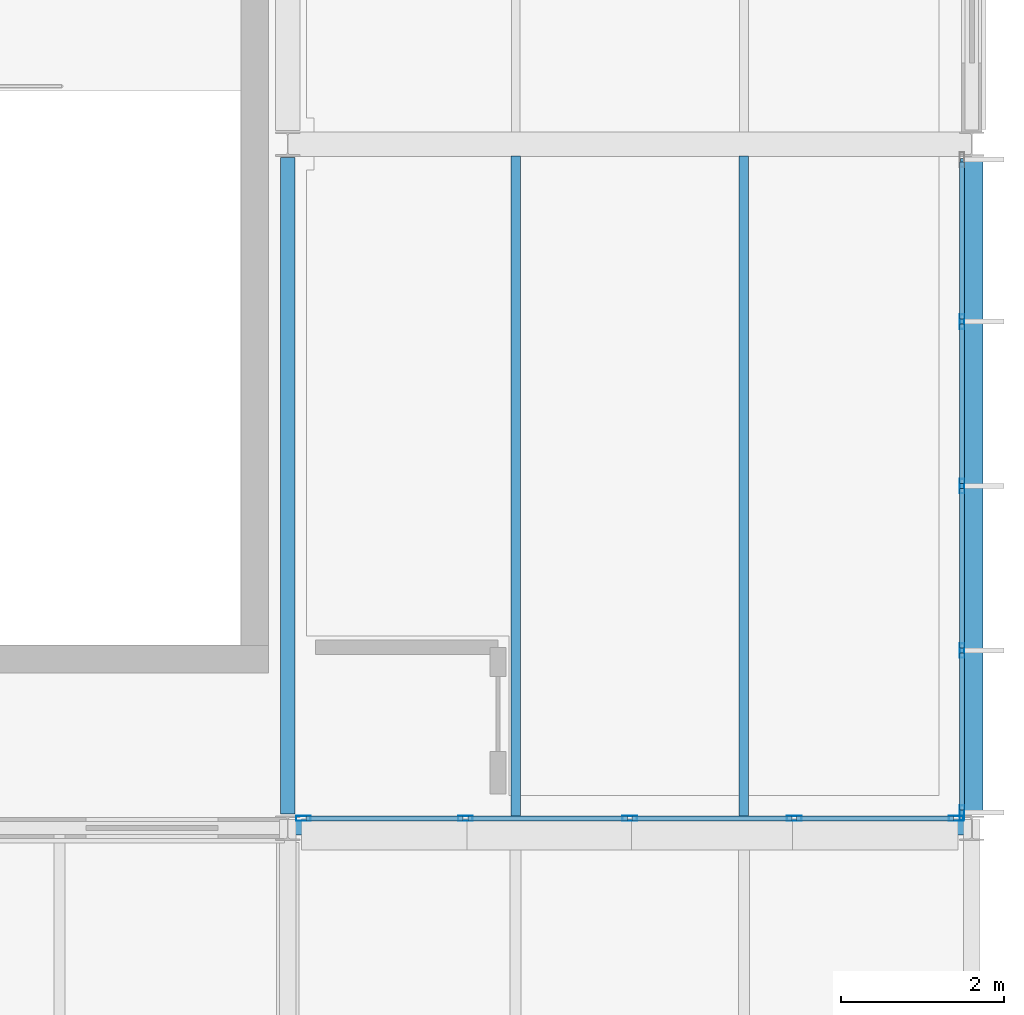
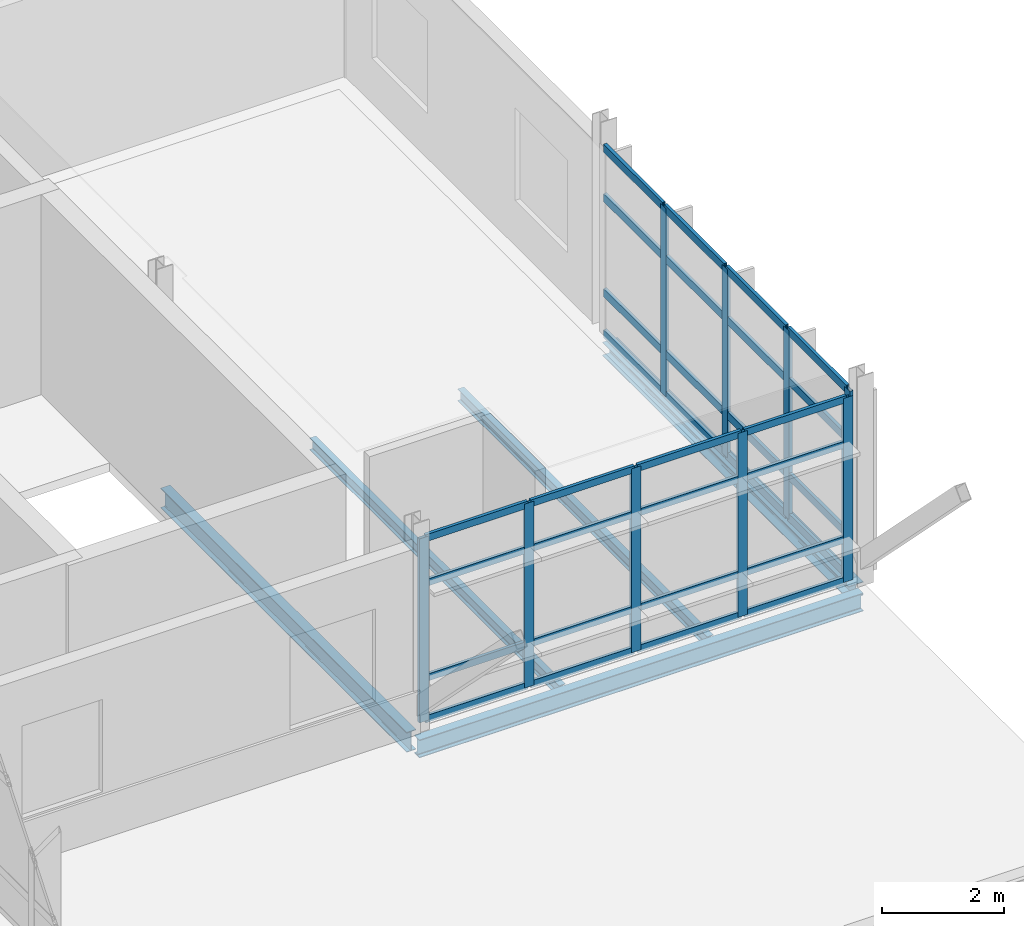
# One storey, part 24 of 35: 41 members, 5 beams, 2 elements without a shape of their own.
"""IFC4 building model written with IfcOpenShell, lengths in metres."""

from ifc_helpers import new_model, si_unit, direction, frame, origin, origin_2d, place, context, subcontext, project, spatial, hollow_rectangle, i_section, extrude, material, material_profile, profile_set, type_object, element, aggregate, save


model = new_model("IFC4")

# Units and contexts
model_context = context("Model", 3, precision=1e-05, world=origin(), true_north=direction((0.0, 1.0)))
body_context = subcontext(model_context, "Body", "Model", "MODEL_VIEW")
ifc_project = project(units=[si_unit("LENGTHUNIT", "METRE"), si_unit("AREAUNIT", "SQUARE_METRE"), si_unit("VOLUMEUNIT", "CUBIC_METRE"), si_unit("PLANEANGLEUNIT", "RADIAN"), si_unit("MASSUNIT", "GRAM", prefix="KILO")], contexts=[model_context])

# Site, building, storey
site_placement = place(None, origin())
site = spatial("IfcSite", under=ifc_project, at=site_placement, CompositionType="ELEMENT")
building_placement = place(site_placement, origin())
building = spatial("IfcBuilding", under=site, at=building_placement, Name="Mersafa Astral City Hall", CompositionType="ELEMENT")
storey_placement = place(building_placement, frame((0.0, 0.0, 30.14990234375)))
storey = spatial("IfcBuildingStorey", under=building, at=storey_placement, Name="L07", CompositionType="ELEMENT", Elevation=30.14990234375)

# Curtain wall, members
ifc_material_1 = material(Name="Anodised bronze aluminium framing", Category="aluminium")
curtain_wall_type_1 = type_object("IfcCurtainWallType", Name="ENV-CW-2", PredefinedType="USERDEFINED", material=ifc_material_1)
curtain_wall_1_placement = place(storey_placement, origin())
curtain_wall_1 = element("IfcCurtainWall", 1, at=curtain_wall_1_placement, inside=storey, type_object=curtain_wall_type_1, Name="L07 Unitised solar curtain wall 271", ObjectType="UNITISED CURTAIN WALL", PredefinedType="USERDEFINED")
ifc_material_profile_1 = material_profile(ifc_material_1, hollow_rectangle(XDim=0.06005859375, YDim=0.179931640625, WallThickness=0.00390625, at=origin_2d()), Name="RHS 60x180x4")
ifc_profile_set_1 = profile_set([ifc_material_profile_1], Name="Anodised bronze aluminium framing")
member_type_1 = type_object("IfcMemberType", Name="ENV-CW-MUL-1", PredefinedType="MULLION", material=ifc_profile_set_1)
member_1_placement = place(storey_placement, frame((176.592041015625, 109.320068359375, -0.001953125), z_axis=(0.0, 0.0, 1.0), x_axis=(0.0, 1.0, 0.0)))
member_1 = element("IfcMember", 2, at=member_1_placement, type_object=member_type_1, Name="CW-2 mullion 1", PredefinedType="MULLION", context=body_context, shape_type="SweptSolid", body=[
    extrude(hollow_rectangle(XDim=0.06005859375, YDim=0.179931640625, WallThickness=0.00390625, at=origin_2d()), origin(), (0.0, 0.0, 1.0), 3.678955078125),
])
member_2_placement = place(storey_placement, frame((178.5810546875, 109.320068359375, -0.001953125), z_axis=(0.0, 0.0, 1.0), x_axis=(0.0, 1.0, 0.0)))
member_2 = element("IfcMember", 3, at=member_2_placement, type_object=member_type_1, Name="CW-2 mullion 2", PredefinedType="MULLION", context=body_context, shape_type="SweptSolid", body=[
    extrude(hollow_rectangle(XDim=0.06005859375, YDim=0.179931640625, WallThickness=0.00390625, at=origin_2d()), origin(), (0.0, 0.0, 1.0), 3.678955078125),
])
member_3_placement = place(storey_placement, frame((180.60009765625, 109.320068359375, -0.001953125), z_axis=(0.0, 0.0, 1.0), x_axis=(0.0, 1.0, 0.0)))
member_3 = element("IfcMember", 4, at=member_3_placement, type_object=member_type_1, Name="CW-2 mullion 3", PredefinedType="MULLION", context=body_context, shape_type="SweptSolid", body=[
    extrude(hollow_rectangle(XDim=0.06005859375, YDim=0.179931640625, WallThickness=0.00390625, at=origin_2d()), origin(), (0.0, 0.0, 1.0), 3.678955078125),
])
member_4_placement = place(storey_placement, frame((182.618896484375, 109.320068359375, -0.001953125), z_axis=(0.0, 0.0, 1.0), x_axis=(0.0, 1.0, 0.0)))
member_4 = element("IfcMember", 5, at=member_4_placement, type_object=member_type_1, Name="CW-2 mullion 4", PredefinedType="MULLION", context=body_context, shape_type="SweptSolid", body=[
    extrude(hollow_rectangle(XDim=0.06005859375, YDim=0.179931640625, WallThickness=0.00390625, at=origin_2d()), origin(), (0.0, 0.0, 1.0), 3.678955078125),
])
member_5_placement = place(storey_placement, frame((184.60791015625, 109.320068359375, -0.001953125), z_axis=(0.0, 0.0, 1.0), x_axis=(0.0, 1.0, 0.0)))
member_5 = element("IfcMember", 6, at=member_5_placement, type_object=member_type_1, Name="CW-2 mullion 5", PredefinedType="MULLION", context=body_context, shape_type="SweptSolid", body=[
    extrude(hollow_rectangle(XDim=0.06005859375, YDim=0.179931640625, WallThickness=0.00390625, at=origin_2d()), origin(), (0.0, 0.0, 1.0), 3.678955078125),
])

curtain_wall_type_2 = type_object("IfcCurtainWallType", Name="ENV-CW-3", PredefinedType="USERDEFINED", material=ifc_material_1)
curtain_wall_2_placement = place(storey_placement, origin())
curtain_wall_2 = element("IfcCurtainWall", 7, at=curtain_wall_2_placement, inside=storey, type_object=curtain_wall_type_2, Name="L07 Unitised solar curtain wall 272", ObjectType="UNITISED CURTAIN WALL", PredefinedType="USERDEFINED")
member_6_placement = place(storey_placement, frame((184.679931640625, 109.39208984375, -0.001953125), z_axis=(0.0, 0.0, 1.0), x_axis=(-1.0, 0.0, 0.0)))
member_6 = element("IfcMember", 8, at=member_6_placement, type_object=member_type_1, Name="CW-3 mullion 1", PredefinedType="MULLION", context=body_context, shape_type="SweptSolid", body=[
    extrude(hollow_rectangle(XDim=0.06005859375, YDim=0.179931640625, WallThickness=0.00390625, at=origin_2d()), origin(), (0.0, 0.0, 1.0), 3.76904296875),
])
member_7_placement = place(storey_placement, frame((184.679931640625, 111.381103515625, -0.001953125), z_axis=(0.0, 0.0, 1.0), x_axis=(-1.0, 0.0, 0.0)))
member_7 = element("IfcMember", 9, at=member_7_placement, type_object=member_type_1, Name="CW-3 mullion 2", PredefinedType="MULLION", context=body_context, shape_type="SweptSolid", body=[
    extrude(hollow_rectangle(XDim=0.06005859375, YDim=0.179931640625, WallThickness=0.00390625, at=origin_2d()), origin(), (0.0, 0.0, 1.0), 3.76904296875),
])
member_8_placement = place(storey_placement, frame((184.679931640625, 113.39990234375, -0.001953125), z_axis=(0.0, 0.0, 1.0), x_axis=(-1.0, 0.0, 0.0)))
member_8 = element("IfcMember", 10, at=member_8_placement, type_object=member_type_1, Name="CW-3 mullion 3", PredefinedType="MULLION", context=body_context, shape_type="SweptSolid", body=[
    extrude(hollow_rectangle(XDim=0.06005859375, YDim=0.179931640625, WallThickness=0.00390625, at=origin_2d()), origin(), (0.0, 0.0, 1.0), 3.76904296875),
])
member_9_placement = place(storey_placement, frame((184.679931640625, 115.4189453125, -0.001953125), z_axis=(0.0, 0.0, 1.0), x_axis=(-1.0, 0.0, 0.0)))
member_9 = element("IfcMember", 11, at=member_9_placement, type_object=member_type_1, Name="CW-3 mullion 4", PredefinedType="MULLION", context=body_context, shape_type="SweptSolid", body=[
    extrude(hollow_rectangle(XDim=0.06005859375, YDim=0.179931640625, WallThickness=0.00390625, at=origin_2d()), origin(), (0.0, 0.0, 1.0), 3.76904296875),
])

# Member
ifc_material_profile_2 = material_profile(ifc_material_1, hollow_rectangle(XDim=0.06005859375, YDim=0.139892578125, WallThickness=0.00390625, at=origin_2d()), Name="RHS 60x140x4")
ifc_profile_set_2 = profile_set([ifc_material_profile_2], Name="Anodised bronze aluminium framing")
member_type_2 = type_object("IfcMemberType", Name="ENV-CW-TRN-1", PredefinedType="USERDEFINED", material=ifc_profile_set_2)
member_10_placement = place(storey_placement, frame((176.6220703125, 109.320068359375, 0.028076171875), z_axis=(1.0, 0.0, 0.0), x_axis=(0.0, 1.0, 0.0)))
member_10 = element("IfcMember", 12, at=member_10_placement, type_object=member_type_2, Name="CW-2 transom 1.1", ObjectType="TRANSOM", PredefinedType="USERDEFINED", context=body_context, shape_type="SweptSolid", body=[
    extrude(hollow_rectangle(XDim=0.06005859375, YDim=0.139892578125, WallThickness=0.00390625, at=origin_2d()), origin(), (0.0, 0.0, 1.0), 1.928955078125),
])

member_11_placement = place(storey_placement, frame((176.6220703125, 109.320068359375, 0.85009765625), z_axis=(1.0, 0.0, 0.0), x_axis=(0.0, 1.0, 0.0)))
member_11 = element("IfcMember", 13, at=member_11_placement, type_object=member_type_2, Name="CW-2 transom 1.2", ObjectType="TRANSOM", PredefinedType="USERDEFINED", context=body_context, shape_type="SweptSolid", body=[
    extrude(hollow_rectangle(XDim=0.06005859375, YDim=0.139892578125, WallThickness=0.00390625, at=origin_2d()), origin(), (0.0, 0.0, 1.0), 1.928955078125),
])

member_12_placement = place(storey_placement, frame((176.6220703125, 109.320068359375, 2.75), z_axis=(1.0, 0.0, 0.0), x_axis=(0.0, 1.0, 0.0)))
member_12 = element("IfcMember", 14, at=member_12_placement, type_object=member_type_2, Name="CW-2 transom 1.3", ObjectType="TRANSOM", PredefinedType="USERDEFINED", context=body_context, shape_type="SweptSolid", body=[
    extrude(hollow_rectangle(XDim=0.06005859375, YDim=0.139892578125, WallThickness=0.00390625, at=origin_2d()), origin(), (0.0, 0.0, 1.0), 1.928955078125),
])

member_13_placement = place(storey_placement, frame((176.6220703125, 109.320068359375, 3.647216796875), z_axis=(1.0, 0.0, 0.0), x_axis=(0.0, 1.0, 0.0)))
member_13 = element("IfcMember", 15, at=member_13_placement, type_object=member_type_2, Name="CW-2 transom 1.4", ObjectType="TRANSOM", PredefinedType="USERDEFINED", context=body_context, shape_type="SweptSolid", body=[
    extrude(hollow_rectangle(XDim=0.06005859375, YDim=0.139892578125, WallThickness=0.00390625, at=origin_2d()), origin(), (0.0, 0.0, 1.0), 1.928955078125),
])

member_14_placement = place(storey_placement, frame((178.611083984375, 109.320068359375, 0.028076171875), z_axis=(1.0, 0.0, 0.0), x_axis=(0.0, 1.0, 0.0)))
member_14 = element("IfcMember", 16, at=member_14_placement, type_object=member_type_2, Name="CW-2 transom 2.1", ObjectType="TRANSOM", PredefinedType="USERDEFINED", context=body_context, shape_type="SweptSolid", body=[
    extrude(hollow_rectangle(XDim=0.06005859375, YDim=0.139892578125, WallThickness=0.00390625, at=origin_2d()), origin(), (0.0, 0.0, 1.0), 1.958984375),
])

member_15_placement = place(storey_placement, frame((178.611083984375, 109.320068359375, 0.85009765625), z_axis=(1.0, 0.0, 0.0), x_axis=(0.0, 1.0, 0.0)))
member_15 = element("IfcMember", 17, at=member_15_placement, type_object=member_type_2, Name="CW-2 transom 2.2", ObjectType="TRANSOM", PredefinedType="USERDEFINED", context=body_context, shape_type="SweptSolid", body=[
    extrude(hollow_rectangle(XDim=0.06005859375, YDim=0.139892578125, WallThickness=0.00390625, at=origin_2d()), origin(), (0.0, 0.0, 1.0), 1.958984375),
])

member_16_placement = place(storey_placement, frame((178.611083984375, 109.320068359375, 2.75), z_axis=(1.0, 0.0, 0.0), x_axis=(0.0, 1.0, 0.0)))
member_16 = element("IfcMember", 18, at=member_16_placement, type_object=member_type_2, Name="CW-2 transom 2.3", ObjectType="TRANSOM", PredefinedType="USERDEFINED", context=body_context, shape_type="SweptSolid", body=[
    extrude(hollow_rectangle(XDim=0.06005859375, YDim=0.139892578125, WallThickness=0.00390625, at=origin_2d()), origin(), (0.0, 0.0, 1.0), 1.958984375),
])

member_17_placement = place(storey_placement, frame((178.611083984375, 109.320068359375, 3.647216796875), z_axis=(1.0, 0.0, 0.0), x_axis=(0.0, 1.0, 0.0)))
member_17 = element("IfcMember", 19, at=member_17_placement, type_object=member_type_2, Name="CW-2 transom 2.4", ObjectType="TRANSOM", PredefinedType="USERDEFINED", context=body_context, shape_type="SweptSolid", body=[
    extrude(hollow_rectangle(XDim=0.06005859375, YDim=0.139892578125, WallThickness=0.00390625, at=origin_2d()), origin(), (0.0, 0.0, 1.0), 1.958984375),
])

member_18_placement = place(storey_placement, frame((180.6298828125, 109.320068359375, 0.028076171875), z_axis=(1.0, 0.0, 0.0), x_axis=(0.0, 1.0, 0.0)))
member_18 = element("IfcMember", 20, at=member_18_placement, type_object=member_type_2, Name="CW-2 transom 3.1", ObjectType="TRANSOM", PredefinedType="USERDEFINED", context=body_context, shape_type="SweptSolid", body=[
    extrude(hollow_rectangle(XDim=0.06005859375, YDim=0.139892578125, WallThickness=0.00390625, at=origin_2d()), origin(), (0.0, 0.0, 1.0), 1.959228515625),
])

member_19_placement = place(storey_placement, frame((180.6298828125, 109.320068359375, 0.85009765625), z_axis=(1.0, 0.0, 0.0), x_axis=(0.0, 1.0, 0.0)))
member_19 = element("IfcMember", 21, at=member_19_placement, type_object=member_type_2, Name="CW-2 transom 3.2", ObjectType="TRANSOM", PredefinedType="USERDEFINED", context=body_context, shape_type="SweptSolid", body=[
    extrude(hollow_rectangle(XDim=0.06005859375, YDim=0.139892578125, WallThickness=0.00390625, at=origin_2d()), origin(), (0.0, 0.0, 1.0), 1.959228515625),
])

member_20_placement = place(storey_placement, frame((180.6298828125, 109.320068359375, 2.75), z_axis=(1.0, 0.0, 0.0), x_axis=(0.0, 1.0, 0.0)))
member_20 = element("IfcMember", 22, at=member_20_placement, type_object=member_type_2, Name="CW-2 transom 3.3", ObjectType="TRANSOM", PredefinedType="USERDEFINED", context=body_context, shape_type="SweptSolid", body=[
    extrude(hollow_rectangle(XDim=0.06005859375, YDim=0.139892578125, WallThickness=0.00390625, at=origin_2d()), origin(), (0.0, 0.0, 1.0), 1.959228515625),
])

member_21_placement = place(storey_placement, frame((180.6298828125, 109.320068359375, 3.647216796875), z_axis=(1.0, 0.0, 0.0), x_axis=(0.0, 1.0, 0.0)))
member_21 = element("IfcMember", 23, at=member_21_placement, type_object=member_type_2, Name="CW-2 transom 3.4", ObjectType="TRANSOM", PredefinedType="USERDEFINED", context=body_context, shape_type="SweptSolid", body=[
    extrude(hollow_rectangle(XDim=0.06005859375, YDim=0.139892578125, WallThickness=0.00390625, at=origin_2d()), origin(), (0.0, 0.0, 1.0), 1.959228515625),
])

member_22_placement = place(storey_placement, frame((182.64892578125, 109.320068359375, 0.028076171875), z_axis=(1.0, 0.0, 0.0), x_axis=(0.0, 1.0, 0.0)))
member_22 = element("IfcMember", 24, at=member_22_placement, type_object=member_type_2, Name="CW-2 transom 4.1", ObjectType="TRANSOM", PredefinedType="USERDEFINED", context=body_context, shape_type="SweptSolid", body=[
    extrude(hollow_rectangle(XDim=0.06005859375, YDim=0.139892578125, WallThickness=0.00390625, at=origin_2d()), origin(), (0.0, 0.0, 1.0), 1.928955078125),
])

member_23_placement = place(storey_placement, frame((182.64892578125, 109.320068359375, 0.85009765625), z_axis=(1.0, 0.0, 0.0), x_axis=(0.0, 1.0, 0.0)))
member_23 = element("IfcMember", 25, at=member_23_placement, type_object=member_type_2, Name="CW-2 transom 4.2", ObjectType="TRANSOM", PredefinedType="USERDEFINED", context=body_context, shape_type="SweptSolid", body=[
    extrude(hollow_rectangle(XDim=0.06005859375, YDim=0.139892578125, WallThickness=0.00390625, at=origin_2d()), origin(), (0.0, 0.0, 1.0), 1.928955078125),
])

member_24_placement = place(storey_placement, frame((182.64892578125, 109.320068359375, 2.75), z_axis=(1.0, 0.0, 0.0), x_axis=(0.0, 1.0, 0.0)))
member_24 = element("IfcMember", 26, at=member_24_placement, type_object=member_type_2, Name="CW-2 transom 4.3", ObjectType="TRANSOM", PredefinedType="USERDEFINED", context=body_context, shape_type="SweptSolid", body=[
    extrude(hollow_rectangle(XDim=0.06005859375, YDim=0.139892578125, WallThickness=0.00390625, at=origin_2d()), origin(), (0.0, 0.0, 1.0), 1.928955078125),
])

member_25_placement = place(storey_placement, frame((182.64892578125, 109.320068359375, 3.647216796875), z_axis=(1.0, 0.0, 0.0), x_axis=(0.0, 1.0, 0.0)))
member_25 = element("IfcMember", 27, at=member_25_placement, type_object=member_type_2, Name="CW-2 transom 4.4", ObjectType="TRANSOM", PredefinedType="USERDEFINED", context=body_context, shape_type="SweptSolid", body=[
    extrude(hollow_rectangle(XDim=0.06005859375, YDim=0.139892578125, WallThickness=0.00390625, at=origin_2d()), origin(), (0.0, 0.0, 1.0), 1.928955078125),
])

aggregate(curtain_wall_1, [member_1, member_2, member_3, member_4, member_5, member_10, member_11, member_12, member_13, member_14, member_15, member_16, member_17, member_18, member_19, member_20, member_21, member_22, member_23, member_24, member_25])

ifc_material_profile_3 = material_profile(ifc_material_1, hollow_rectangle(XDim=0.06005859375, YDim=0.159912109375, WallThickness=0.00390625, at=origin_2d()), Name="RHS 60x160x4")
ifc_profile_set_3 = profile_set([ifc_material_profile_3], Name="Anodised bronze aluminium framing")
member_type_3 = type_object("IfcMemberType", Name="ENV-CW-TRN-2", PredefinedType="USERDEFINED", material=ifc_profile_set_3)
member_26_placement = place(storey_placement, frame((184.679931640625, 109.422119140625, 0.028076171875), z_axis=(0.0, 1.0, 0.0), x_axis=(-1.0, 0.0, 0.0)))
member_26 = element("IfcMember", 28, at=member_26_placement, type_object=member_type_3, Name="CW-3 transom 1.1", ObjectType="TRANSOM", PredefinedType="USERDEFINED", context=body_context, shape_type="SweptSolid", body=[
    extrude(hollow_rectangle(XDim=0.06005859375, YDim=0.159912109375, WallThickness=0.00390625, at=origin_2d()), origin(), (0.0, 0.0, 1.0), 1.928955078125),
])

member_27_placement = place(storey_placement, frame((184.679931640625, 109.422119140625, 0.85009765625), z_axis=(0.0, 1.0, 0.0), x_axis=(-1.0, 0.0, 0.0)))
member_27 = element("IfcMember", 29, at=member_27_placement, type_object=member_type_3, Name="CW-3 transom 1.2", ObjectType="TRANSOM", PredefinedType="USERDEFINED", context=body_context, shape_type="SweptSolid", body=[
    extrude(hollow_rectangle(XDim=0.06005859375, YDim=0.159912109375, WallThickness=0.00390625, at=origin_2d()), origin(), (0.0, 0.0, 1.0), 1.928955078125),
])

member_28_placement = place(storey_placement, frame((184.679931640625, 109.422119140625, 2.75), z_axis=(0.0, 1.0, 0.0), x_axis=(-1.0, 0.0, 0.0)))
member_28 = element("IfcMember", 30, at=member_28_placement, type_object=member_type_3, Name="CW-3 transom 1.3", ObjectType="TRANSOM", PredefinedType="USERDEFINED", context=body_context, shape_type="SweptSolid", body=[
    extrude(hollow_rectangle(XDim=0.06005859375, YDim=0.159912109375, WallThickness=0.00390625, at=origin_2d()), origin(), (0.0, 0.0, 1.0), 1.928955078125),
])

member_29_placement = place(storey_placement, frame((184.679931640625, 109.422119140625, 3.737060546875), z_axis=(0.0, 1.0, 0.0), x_axis=(-1.0, 0.0, 0.0)))
member_29 = element("IfcMember", 31, at=member_29_placement, type_object=member_type_3, Name="CW-3 transom 1.4", ObjectType="TRANSOM", PredefinedType="USERDEFINED", context=body_context, shape_type="SweptSolid", body=[
    extrude(hollow_rectangle(XDim=0.06005859375, YDim=0.159912109375, WallThickness=0.00390625, at=origin_2d()), origin(), (0.0, 0.0, 1.0), 1.928955078125),
])

member_30_placement = place(storey_placement, frame((184.679931640625, 111.410888671875, 0.028076171875), z_axis=(0.0, 1.0, 0.0), x_axis=(-1.0, 0.0, 0.0)))
member_30 = element("IfcMember", 32, at=member_30_placement, type_object=member_type_3, Name="CW-3 transom 2.1", ObjectType="TRANSOM", PredefinedType="USERDEFINED", context=body_context, shape_type="SweptSolid", body=[
    extrude(hollow_rectangle(XDim=0.06005859375, YDim=0.159912109375, WallThickness=0.00390625, at=origin_2d()), origin(), (0.0, 0.0, 1.0), 1.959228515625),
])

member_31_placement = place(storey_placement, frame((184.679931640625, 111.410888671875, 0.85009765625), z_axis=(0.0, 1.0, 0.0), x_axis=(-1.0, 0.0, 0.0)))
member_31 = element("IfcMember", 33, at=member_31_placement, type_object=member_type_3, Name="CW-3 transom 2.2", ObjectType="TRANSOM", PredefinedType="USERDEFINED", context=body_context, shape_type="SweptSolid", body=[
    extrude(hollow_rectangle(XDim=0.06005859375, YDim=0.159912109375, WallThickness=0.00390625, at=origin_2d()), origin(), (0.0, 0.0, 1.0), 1.959228515625),
])

member_32_placement = place(storey_placement, frame((184.679931640625, 111.410888671875, 2.75), z_axis=(0.0, 1.0, 0.0), x_axis=(-1.0, 0.0, 0.0)))
member_32 = element("IfcMember", 34, at=member_32_placement, type_object=member_type_3, Name="CW-3 transom 2.3", ObjectType="TRANSOM", PredefinedType="USERDEFINED", context=body_context, shape_type="SweptSolid", body=[
    extrude(hollow_rectangle(XDim=0.06005859375, YDim=0.159912109375, WallThickness=0.00390625, at=origin_2d()), origin(), (0.0, 0.0, 1.0), 1.959228515625),
])

member_33_placement = place(storey_placement, frame((184.679931640625, 111.410888671875, 3.737060546875), z_axis=(0.0, 1.0, 0.0), x_axis=(-1.0, 0.0, 0.0)))
member_33 = element("IfcMember", 35, at=member_33_placement, type_object=member_type_3, Name="CW-3 transom 2.4", ObjectType="TRANSOM", PredefinedType="USERDEFINED", context=body_context, shape_type="SweptSolid", body=[
    extrude(hollow_rectangle(XDim=0.06005859375, YDim=0.159912109375, WallThickness=0.00390625, at=origin_2d()), origin(), (0.0, 0.0, 1.0), 1.959228515625),
])

member_34_placement = place(storey_placement, frame((184.679931640625, 113.429931640625, 0.028076171875), z_axis=(0.0, 1.0, 0.0), x_axis=(-1.0, 0.0, 0.0)))
member_34 = element("IfcMember", 36, at=member_34_placement, type_object=member_type_3, Name="CW-3 transom 3.1", ObjectType="TRANSOM", PredefinedType="USERDEFINED", context=body_context, shape_type="SweptSolid", body=[
    extrude(hollow_rectangle(XDim=0.06005859375, YDim=0.159912109375, WallThickness=0.00390625, at=origin_2d()), origin(), (0.0, 0.0, 1.0), 1.958984375),
])

member_35_placement = place(storey_placement, frame((184.679931640625, 113.429931640625, 0.85009765625), z_axis=(0.0, 1.0, 0.0), x_axis=(-1.0, 0.0, 0.0)))
member_35 = element("IfcMember", 37, at=member_35_placement, type_object=member_type_3, Name="CW-3 transom 3.2", ObjectType="TRANSOM", PredefinedType="USERDEFINED", context=body_context, shape_type="SweptSolid", body=[
    extrude(hollow_rectangle(XDim=0.06005859375, YDim=0.159912109375, WallThickness=0.00390625, at=origin_2d()), origin(), (0.0, 0.0, 1.0), 1.958984375),
])

member_36_placement = place(storey_placement, frame((184.679931640625, 113.429931640625, 2.75), z_axis=(0.0, 1.0, 0.0), x_axis=(-1.0, 0.0, 0.0)))
member_36 = element("IfcMember", 38, at=member_36_placement, type_object=member_type_3, Name="CW-3 transom 3.3", ObjectType="TRANSOM", PredefinedType="USERDEFINED", context=body_context, shape_type="SweptSolid", body=[
    extrude(hollow_rectangle(XDim=0.06005859375, YDim=0.159912109375, WallThickness=0.00390625, at=origin_2d()), origin(), (0.0, 0.0, 1.0), 1.958984375),
])

member_37_placement = place(storey_placement, frame((184.679931640625, 113.429931640625, 3.737060546875), z_axis=(0.0, 1.0, 0.0), x_axis=(-1.0, 0.0, 0.0)))
member_37 = element("IfcMember", 39, at=member_37_placement, type_object=member_type_3, Name="CW-3 transom 3.4", ObjectType="TRANSOM", PredefinedType="USERDEFINED", context=body_context, shape_type="SweptSolid", body=[
    extrude(hollow_rectangle(XDim=0.06005859375, YDim=0.159912109375, WallThickness=0.00390625, at=origin_2d()), origin(), (0.0, 0.0, 1.0), 1.958984375),
])

member_38_placement = place(storey_placement, frame((184.679931640625, 115.448974609375, 0.028076171875), z_axis=(0.0, 1.0, 0.0), x_axis=(-1.0, 0.0, 0.0)))
member_38 = element("IfcMember", 40, at=member_38_placement, type_object=member_type_3, Name="CW-3 transom 4.1", ObjectType="TRANSOM", PredefinedType="USERDEFINED", context=body_context, shape_type="SweptSolid", body=[
    extrude(hollow_rectangle(XDim=0.06005859375, YDim=0.159912109375, WallThickness=0.00390625, at=origin_2d()), origin(), (0.0, 0.0, 1.0), 1.928955078125),
])

member_39_placement = place(storey_placement, frame((184.679931640625, 115.448974609375, 0.85009765625), z_axis=(0.0, 1.0, 0.0), x_axis=(-1.0, 0.0, 0.0)))
member_39 = element("IfcMember", 41, at=member_39_placement, type_object=member_type_3, Name="CW-3 transom 4.2", ObjectType="TRANSOM", PredefinedType="USERDEFINED", context=body_context, shape_type="SweptSolid", body=[
    extrude(hollow_rectangle(XDim=0.06005859375, YDim=0.159912109375, WallThickness=0.00390625, at=origin_2d()), origin(), (0.0, 0.0, 1.0), 1.928955078125),
])

member_40_placement = place(storey_placement, frame((184.679931640625, 115.448974609375, 2.75), z_axis=(0.0, 1.0, 0.0), x_axis=(-1.0, 0.0, 0.0)))
member_40 = element("IfcMember", 42, at=member_40_placement, type_object=member_type_3, Name="CW-3 transom 4.3", ObjectType="TRANSOM", PredefinedType="USERDEFINED", context=body_context, shape_type="SweptSolid", body=[
    extrude(hollow_rectangle(XDim=0.06005859375, YDim=0.159912109375, WallThickness=0.00390625, at=origin_2d()), origin(), (0.0, 0.0, 1.0), 1.928955078125),
])

member_41_placement = place(storey_placement, frame((184.679931640625, 115.448974609375, 3.737060546875), z_axis=(0.0, 1.0, 0.0), x_axis=(-1.0, 0.0, 0.0)))
member_41 = element("IfcMember", 43, at=member_41_placement, type_object=member_type_3, Name="CW-3 transom 4.4", ObjectType="TRANSOM", PredefinedType="USERDEFINED", context=body_context, shape_type="SweptSolid", body=[
    extrude(hollow_rectangle(XDim=0.06005859375, YDim=0.159912109375, WallThickness=0.00390625, at=origin_2d()), origin(), (0.0, 0.0, 1.0), 1.928955078125),
])

aggregate(curtain_wall_2, [member_6, member_7, member_8, member_9, member_26, member_27, member_28, member_29, member_30, member_31, member_32, member_33, member_34, member_35, member_36, member_37, member_38, member_39, member_40, member_41])

# Beams
ifc_material_2 = material(Name="Steel S355", Category="steel")
ifc_material_profile_4 = material_profile(ifc_material_2, i_section(OverallWidth=0.179931640625, OverallDepth=0.39990234375, WebThickness=0.008544921875, FlangeThickness=0.013427734375, FilletRadius=0.02099609375, at=origin_2d()), Name="IPE 400")
ifc_profile_set_4 = profile_set([ifc_material_profile_4], Name="Steel S355")
beam_type_1 = type_object("IfcBeamType", Name="STR-BM-IPE400", PredefinedType="BEAM", material=ifc_profile_set_4)
beam_1_placement = place(storey_placement, frame((176.39990234375, 109.375, -0.375), z_axis=(0.0, 1.0, 0.0), x_axis=(-1.0, 0.0, 0.0)))
element("IfcBeam", 44, at=beam_1_placement, inside=storey, type_object=beam_type_1, Name="L07 Primary girder Y 21-13", PredefinedType="BEAM", context=body_context, shape_type="SweptSolid", body=[
    extrude(i_section(OverallWidth=0.179931640625, OverallDepth=0.39990234375, WebThickness=0.008544921875, FlangeThickness=0.013427734375, FilletRadius=0.02099609375, at=origin_2d()), origin(), (0.0, 0.0, 1.0), 8.06005859375),
])
ifc_material_profile_5 = material_profile(ifc_material_2, i_section(OverallWidth=0.1201171875, OverallDepth=0.239990234375, WebThickness=0.006103515625, FlangeThickness=0.009765625, FilletRadius=0.014892578125, at=origin_2d()), Name="IPE 240")
ifc_profile_set_5 = profile_set([ifc_material_profile_5], Name="Steel S355")
beam_type_2 = type_object("IfcBeamType", Name="STR-BM-JOIST-IPE240", PredefinedType="JOIST", material=ifc_profile_set_5)
for number, where, z_axis, x_axis, name in (
    (45, (179.199951171875, 109.280029296875, -0.294921875), (0.0, 1.0, 0.0), (-1.0, 0.0, 0.0), "L07 Composite secondary floor joist 918"),
    (46, (182.0, 109.280029296875, -0.294921875), (0.0, 1.0, 0.0), (-1.0, 0.0, 0.0), "L07 Composite secondary floor joist 919"),
):
    element("IfcBeam", number, at=place(storey_placement, frame(where, z_axis=z_axis, x_axis=x_axis)), inside=storey, type_object=beam_type_2, Name=name, PredefinedType="JOIST", context=body_context, shape_type="SweptSolid", body=[
        extrude(i_section(OverallWidth=0.1201171875, OverallDepth=0.239990234375, WebThickness=0.006103515625, FlangeThickness=0.009765625, FilletRadius=0.014892578125, at=origin_2d()), origin(), (0.0, 0.0, 1.0), 8.175048828125),
    ])
ifc_material_profile_6 = material_profile(ifc_material_2, i_section(OverallWidth=0.280029296875, OverallDepth=0.27001953125, WebThickness=0.008056640625, FlangeThickness=0.012939453125, FilletRadius=0.02392578125, at=origin_2d()), Name="HEA 280")
ifc_profile_set_6 = profile_set([ifc_material_profile_6], Name="Steel S355")
beam_type_3 = type_object("IfcBeamType", Name="STR-BM-SPANDREL-HEA280", PredefinedType="SPANDREL", material=ifc_profile_set_6)
beam_2_placement = place(storey_placement, frame((184.800048828125, 109.364990234375, -0.309814453125), z_axis=(0.0, 1.0, 0.0), x_axis=(-1.0, 0.0, 0.0)))
element("IfcBeam", 47, at=beam_2_placement, inside=storey, type_object=beam_type_3, Name="L07 Primary girder Y 22-13", PredefinedType="SPANDREL", context=body_context, shape_type="SweptSolid", body=[
    extrude(i_section(OverallWidth=0.280029296875, OverallDepth=0.27001953125, WebThickness=0.008056640625, FlangeThickness=0.012939453125, FilletRadius=0.02392578125, at=origin_2d()), origin(), (0.0, 0.0, 1.0), 8.06005859375),
])
ifc_material_profile_7 = material_profile(ifc_material_2, i_section(OverallWidth=0.169921875, OverallDepth=0.360107421875, WebThickness=0.008056640625, FlangeThickness=0.0126953125, FilletRadius=0.01806640625, at=origin_2d()), Name="IPE 360")
ifc_profile_set_7 = profile_set([ifc_material_profile_7], Name="Steel S355")
beam_type_4 = type_object("IfcBeamType", Name="STR-BM-SPANDREL-IPE360", PredefinedType="SPANDREL", material=ifc_profile_set_7)
beam_3_placement = place(storey_placement, frame((176.403076171875, 109.199951171875, -0.3798828125), z_axis=(1.0, 0.0, 0.0), x_axis=(0.0, 1.0, 0.0)))
element("IfcBeam", 48, at=beam_3_placement, inside=storey, type_object=beam_type_4, Name="L07 Primary girder X 21-13", PredefinedType="SPANDREL", context=body_context, shape_type="SweptSolid", body=[
    extrude(i_section(OverallWidth=0.169921875, OverallDepth=0.360107421875, WebThickness=0.008056640625, FlangeThickness=0.0126953125, FilletRadius=0.01806640625, at=origin_2d()), origin(), (0.0, 0.0, 1.0), 8.39404296875),
])

save(model, "model.ifc")
